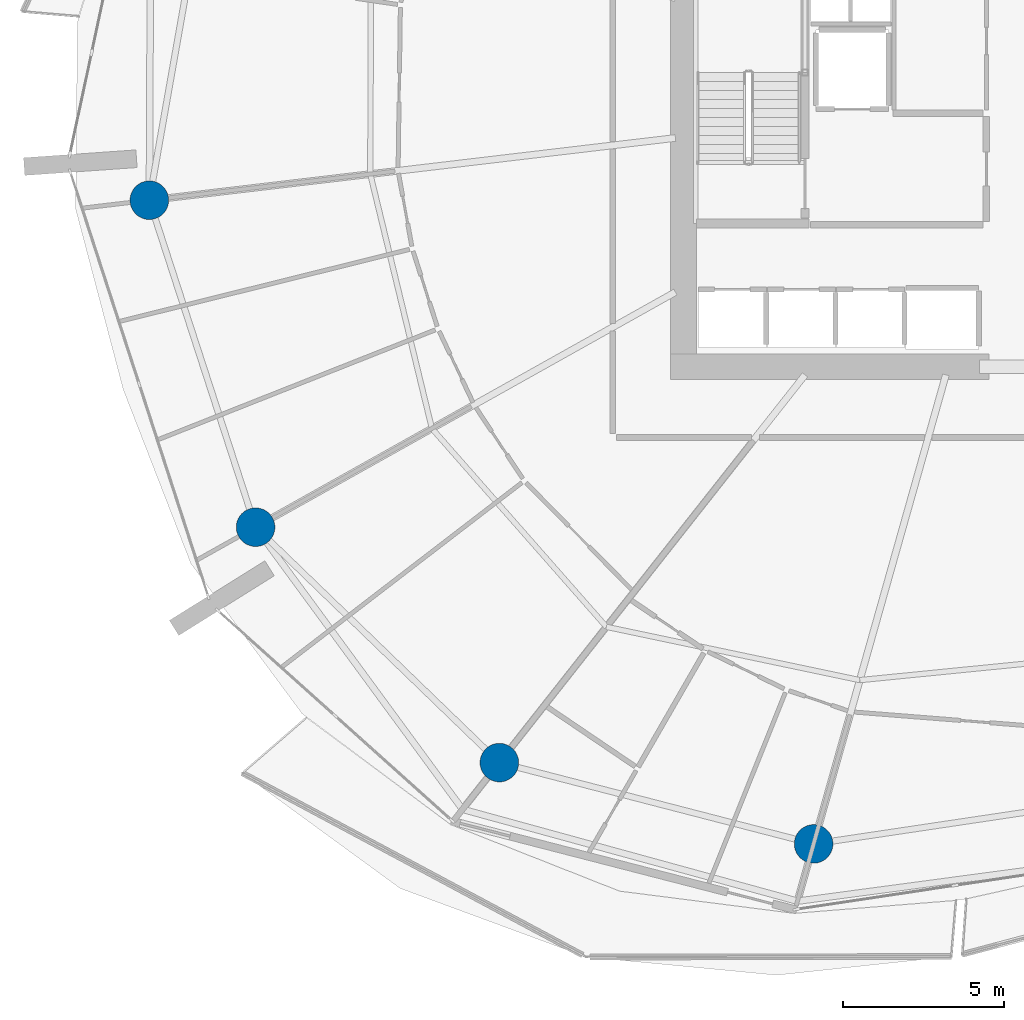
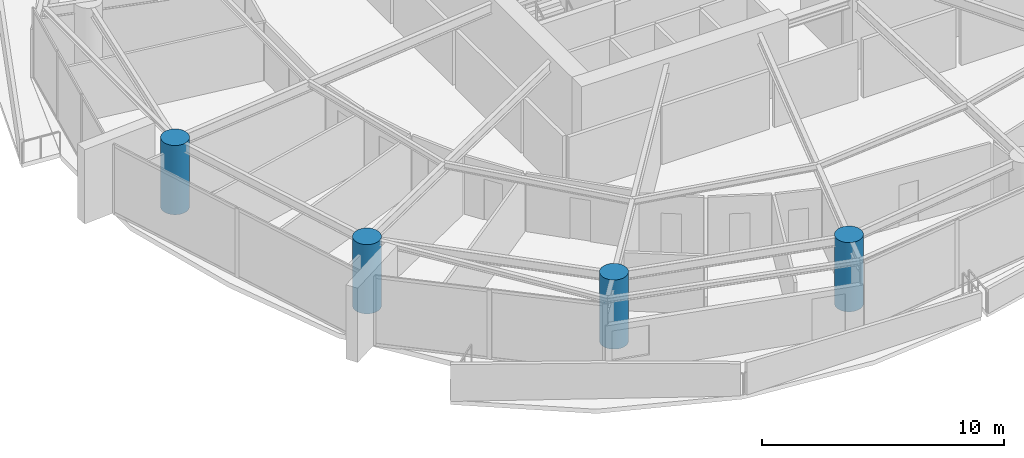
# One storey, part 1 of 22: 4 columns.
"""IFC4 building model written with IfcOpenShell, lengths in metres."""

from ifc_helpers import new_model, si_unit, direction, frame, origin, origin_2d, place, context, subcontext, project, spatial, circle, extrude, material, material_profile, profile_set, type_object, element, save


model = new_model("IFC4")

# Units and contexts
model_context = context("Model", 3, precision=1e-05, world=origin(), true_north=direction((0.0, 1.0)))
body_context = subcontext(model_context, "Body", "Model", "MODEL_VIEW")
ifc_project = project(units=[si_unit("LENGTHUNIT", "METRE"), si_unit("AREAUNIT", "SQUARE_METRE"), si_unit("VOLUMEUNIT", "CUBIC_METRE"), si_unit("PLANEANGLEUNIT", "RADIAN"), si_unit("MASSUNIT", "GRAM", prefix="KILO")], contexts=[model_context])

# Site, building, storey
site_placement = place(None, origin())
site = spatial("IfcSite", under=ifc_project, at=site_placement, CompositionType="ELEMENT")
building_placement = place(site_placement, origin())
building = spatial("IfcBuilding", under=site, at=building_placement, Name="Kazma Halo Residences", CompositionType="ELEMENT")
storey_placement = place(building_placement, frame((0.0, 0.0, 90.14990234375)))
storey = spatial("IfcBuildingStorey", under=building, at=storey_placement, Name="L22", CompositionType="ELEMENT", Elevation=90.14990234375)

# Columns
ifc_material = material(Name="Concrete C80/95", Category="concrete")
ifc_material_profile = material_profile(ifc_material, circle(Radius=0.60009765625, at=origin_2d()), Name="CIRC1200")
ifc_profile_set = profile_set([ifc_material_profile], Name="Concrete C80/95")
column_type = type_object("IfcColumnType", Name="COL-PERIM-1200", PredefinedType="COLUMN", material=ifc_profile_set)
for number, where, z_axis, x_axis, name in (
    (1, (20.79345703125, 38.77978515625, 0.0), (0.0, 0.0, 1.0), (1.0, 0.0, 0.0), "L22 perimeter ring column P08"),
    (2, (24.0966796875, 28.613525390625, 0.0), (0.0, 0.0, 1.0), (1.0, 0.0, 0.0), "L22 perimeter ring column P09"),
    (3, (31.676513671875, 21.293701171875, 0.0), (0.0, 0.0, 1.0), (1.0, 0.0, 0.0), "L22 perimeter ring column P10"),
    (4, (41.447265625, 18.765869140625, 0.0), (0.0, 0.0, 1.0), (1.0, 0.0, 0.0), "L22 perimeter ring column P11"),
):
    element("IfcColumn", number, at=place(storey_placement, frame(where, z_axis=z_axis, x_axis=x_axis)), inside=storey, type_object=column_type, Name=name, PredefinedType="COLUMN", context=body_context, shape_type="SweptSolid", body=[
        extrude(circle(Radius=0.60009765625, at=origin_2d()), origin(), (0.0, 0.0, 1.0), 3.5),
    ])

save(model, "model.ifc")
